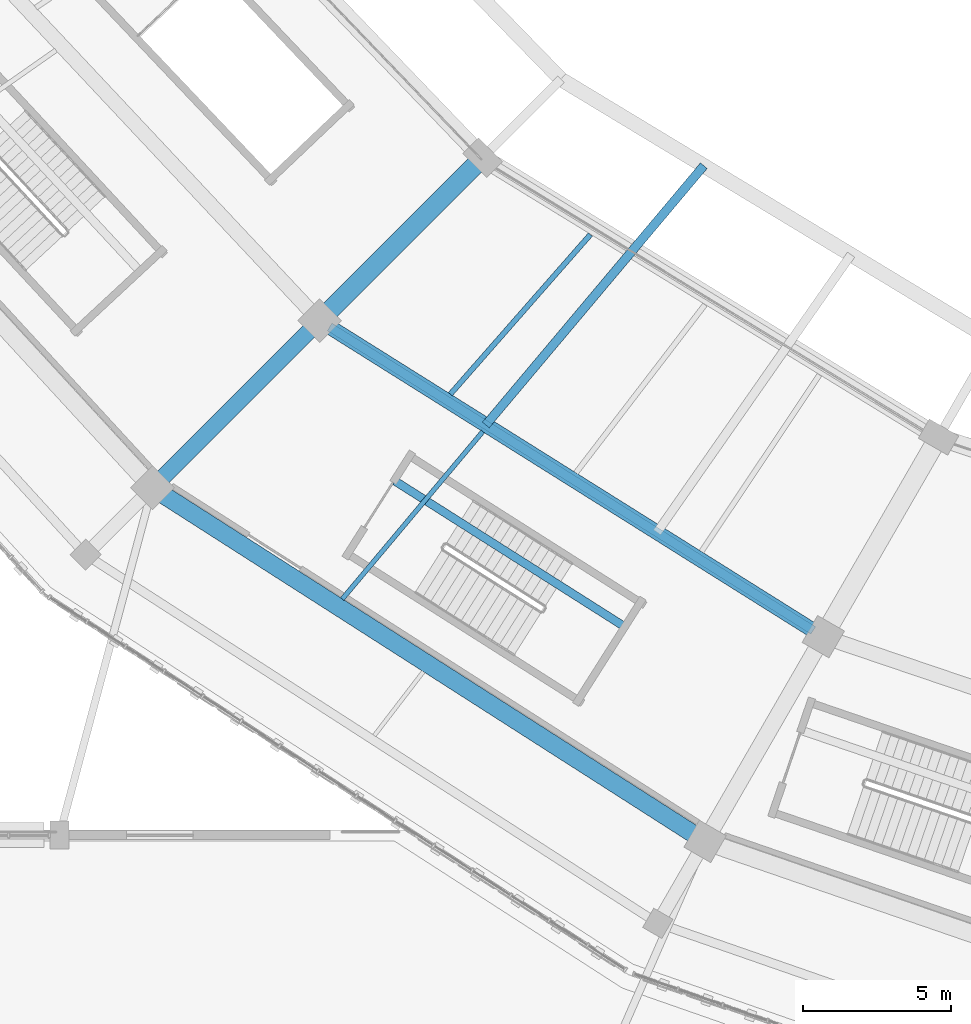
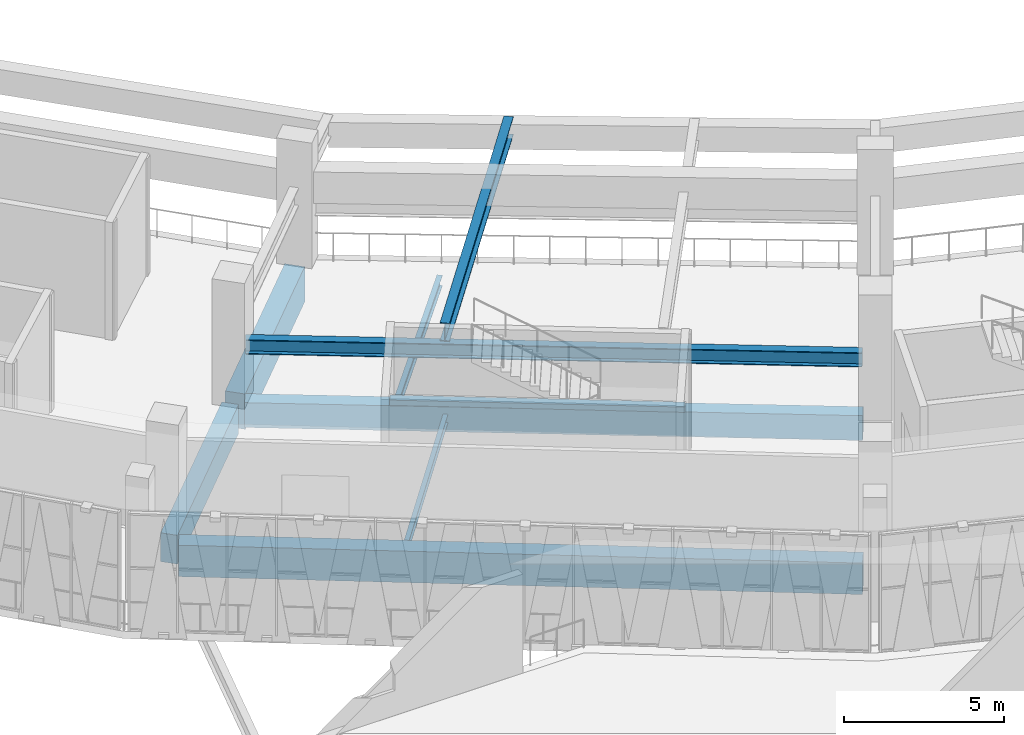
# One storey, part 11 of 179: 9 beams.
"""IFC4 building model written with IfcOpenShell, lengths in metres."""

from ifc_helpers import new_model, si_unit, direction, frame, origin, origin_2d, place, context, subcontext, project, spatial, rectangle, i_section, extrude, material, material_profile, profile_set, type_object, element, save


model = new_model("IFC4")

# Units and contexts
model_context = context("Model", 3, precision=1e-05, world=origin(), true_north=direction((0.0, 1.0)))
body_context = subcontext(model_context, "Body", "Model", "MODEL_VIEW")
ifc_project = project(units=[si_unit("LENGTHUNIT", "METRE"), si_unit("AREAUNIT", "SQUARE_METRE"), si_unit("VOLUMEUNIT", "CUBIC_METRE"), si_unit("PLANEANGLEUNIT", "RADIAN"), si_unit("MASSUNIT", "GRAM", prefix="KILO")], contexts=[model_context])

# Site, building, storey
site_placement = place(None, origin())
site = spatial("IfcSite", under=ifc_project, at=site_placement, CompositionType="ELEMENT")
building_placement = place(site_placement, origin())
building = spatial("IfcBuilding", under=site, at=building_placement, Name="Zevraka Park Crest Stadium", CompositionType="ELEMENT")
storey_placement = place(building_placement, frame((0.0, 0.0, 10.199951171875)))
storey = spatial("IfcBuildingStorey", under=building, at=storey_placement, Name="L02", CompositionType="ELEMENT", Elevation=10.199951171875)

# Beams
ifc_material_1 = material(Name="Concrete C40/50", Category="concrete")
ifc_material_profile_1 = material_profile(ifc_material_1, rectangle(XDim=0.64990234375, YDim=1.35009765625, at=origin_2d()), Name="RC 1350x650")
ifc_profile_set_1 = profile_set([ifc_material_profile_1], Name="Concrete C40/50")
beam_type_1 = type_object("IfcBeamType", Name="BG01", PredefinedType="BEAM", material=ifc_profile_set_1)
beam_1_placement = place(storey_placement, frame((59.10888671875, 49.715087890625, -0.68505859375), z_axis=(-0.707157639372, -0.707055919343, 0.0), x_axis=(0.707055919343, -0.707157639372, 0.0)))
element("IfcBeam", 1, at=beam_1_placement, inside=storey, type_object=beam_type_1, Name="Radial Girder BG01 L02-BC-15", PredefinedType="BEAM", context=body_context, shape_type="SweptSolid", body=[
    extrude(rectangle(XDim=0.64990234375, YDim=1.35009765625, at=origin_2d()), origin(), (0.0, 0.0, 1.0), 7.200439453125),
])
ifc_material_2 = material(Name="Concrete C40/50", Category="concrete")
ifc_material_profile_2 = material_profile(ifc_material_2, rectangle(XDim=0.550048828125, YDim=1.10009765625, at=origin_2d()), Name="RC 1100x550")
ifc_profile_set_2 = profile_set([ifc_material_profile_2], Name="Concrete C40/50")
beam_type_2 = type_object("IfcBeamType", Name="BG02", PredefinedType="BEAM", material=ifc_profile_set_2)
beam_2_placement = place(storey_placement, frame((53.593017578125, 44.199951171875, -0.56005859375), z_axis=(-0.707106781187, -0.707106781187, 0.0), x_axis=(0.707106781187, -0.707106781187, 0.0)))
element("IfcBeam", 2, at=beam_2_placement, inside=storey, type_object=beam_type_2, Name="Radial Girder BG02 L02-CD-15", PredefinedType="BEAM", context=body_context, shape_type="SweptSolid", body=[
    extrude(rectangle(XDim=0.550048828125, YDim=1.10009765625, at=origin_2d()), origin(), (0.0, 0.0, 1.0), 7.400390625),
])
ifc_material_3 = material(Name="Steel S355", Category="steel")
ifc_material_profile_3 = material_profile(ifc_material_3, i_section(OverallWidth=0.300048828125, OverallDepth=0.699951171875, WebThickness=0.01708984375, FlangeThickness=0.031982421875, at=origin_2d()), Name="HEB 700")
ifc_profile_set_3 = profile_set([ifc_material_profile_3], Name="Steel S355")
beam_type_3 = type_object("IfcBeamType", Name="BG06", PredefinedType="BEAM", material=ifc_profile_set_3)
beam_3_placement = place(storey_placement, frame((59.429931640625, 40.882080078125, 2.670166015625), z_axis=(0.643584623332, 0.7653749621, 0.0), x_axis=(-0.7653749621, 0.643584623332, 0.0)))
element("IfcBeam", 3, at=beam_3_placement, inside=storey, type_object=beam_type_3, Name="Upper Tier Vomitory Cantilever Girder BG06 15-V1", PredefinedType="BEAM", context=body_context, shape_type="SweptSolid", body=[
    extrude(i_section(OverallWidth=0.300048828125, OverallDepth=0.699951171875, WebThickness=0.01708984375, FlangeThickness=0.031982421875, at=origin_2d()), origin(), (0.0, 0.0, 1.0), 11.46240234375),
])
ifc_material_4 = material(Name="Concrete C40/50", Category="concrete")
ifc_material_profile_4 = material_profile(ifc_material_4, rectangle(XDim=0.60009765625, YDim=1.199951171875, at=origin_2d()), Name="RC 1200x600")
ifc_profile_set_4 = profile_set([ifc_material_profile_4], Name="Concrete C40/50")
beam_type_4 = type_object("IfcBeamType", Name="RB01", PredefinedType="BEAM", material=ifc_profile_set_4)
beam_4_placement = place(storey_placement, frame((48.468017578125, 38.550048828125, -0.60986328125), z_axis=(0.842325571453, -0.538969045193, 0.0), x_axis=(0.538969045193, 0.842325571453, 0.0)))
element("IfcBeam", 4, at=beam_4_placement, inside=storey, type_object=beam_type_4, Name="Ring Beam RB01 L02-D-15", PredefinedType="BEAM", context=body_context, shape_type="SweptSolid", body=[
    extrude(rectangle(XDim=0.60009765625, YDim=1.199951171875, at=origin_2d()), origin(), (0.0, 0.0, 1.0), 21.443115234375),
])
ifc_material_5 = material(Name="Concrete C40/50", Category="concrete")
ifc_material_profile_5 = material_profile(ifc_material_5, rectangle(XDim=0.5, YDim=0.949951171875, at=origin_2d()), Name="RC 950x500")
ifc_profile_set_5 = profile_set([ifc_material_profile_5], Name="Concrete C40/50")
beam_type_5 = type_object("IfcBeamType", Name="RB02", PredefinedType="BEAM", material=ifc_profile_set_5)
beam_5_placement = place(storey_placement, frame((54.126953125, 44.2099609375, -0.48486328125), z_axis=(0.847038516183, -0.531531515625, 0.0), x_axis=(0.531531515625, 0.847038516183, 0.0)))
element("IfcBeam", 5, at=beam_5_placement, inside=storey, type_object=beam_type_5, Name="Ring Beam RB02 L02-C-15", PredefinedType="BEAM", context=body_context, shape_type="SweptSolid", body=[
    extrude(rectangle(XDim=0.5, YDim=0.949951171875, at=origin_2d()), origin(), (0.0, 0.0, 1.0), 19.36279296875),
])
ifc_material_6 = material(Name="Steel S355", Category="steel")
ifc_material_profile_6 = material_profile(ifc_material_6, i_section(OverallWidth=0.300048828125, OverallDepth=0.550048828125, WebThickness=0.014892578125, FlangeThickness=0.029052734375, at=origin_2d()), Name="HEB 550")
ifc_profile_set_6 = profile_set([ifc_material_profile_6], Name="Steel S355")
beam_type_6 = type_object("IfcBeamType", Name="RB04", PredefinedType="BEAM", material=ifc_profile_set_6)
beam_6_placement = place(storey_placement, frame((54.14404296875, 44.198974609375, 2.047119140625), z_axis=(0.847050732734, -0.531512047065, 0.0), x_axis=(0.531512047065, 0.847050732734, 0.0)))
element("IfcBeam", 6, at=beam_6_placement, inside=storey, type_object=beam_type_6, Name="Vomitory Cantilever Anchor Support Beam RB04 15", PredefinedType="BEAM", context=body_context, shape_type="SweptSolid", body=[
    extrude(i_section(OverallWidth=0.300048828125, OverallDepth=0.550048828125, WebThickness=0.014892578125, FlangeThickness=0.029052734375, at=origin_2d()), origin(), (0.0, 0.0, 1.0), 19.322265625),
])
ifc_material_7 = material(Name="Steel S355", Category="steel")
ifc_material_profile_7 = material_profile(ifc_material_7, i_section(OverallWidth=0.159912109375, OverallDepth=0.330078125, WebThickness=0.007568359375, FlangeThickness=0.011474609375, at=origin_2d()), Name="IPE 330")
ifc_profile_set_7 = profile_set([ifc_material_profile_7], Name="Steel S355")
beam_type_7 = type_object("IfcBeamType", Name="SJ08", PredefinedType="JOIST", material=ifc_profile_set_7)
beam_7_placement = place(storey_placement, frame((59.3291015625, 40.658935546875, -0.452880859375), z_axis=(-0.642939005042, -0.765917381834, 0.0), x_axis=(0.765917381834, -0.642939005042, 0.0)))
element("IfcBeam", 7, at=beam_7_placement, inside=storey, type_object=beam_type_7, Name="Floor Joist SJ08 L02-CD-15-1", PredefinedType="JOIST", context=body_context, shape_type="SweptSolid", body=[
    extrude(i_section(OverallWidth=0.159912109375, OverallDepth=0.330078125, WebThickness=0.007568359375, FlangeThickness=0.011474609375, at=origin_2d()), origin(), (0.0, 0.0, 1.0), 7.39892578125),
])
ifc_material_8 = material(Name="Steel S355", Category="steel")
ifc_material_profile_8 = material_profile(ifc_material_8, i_section(OverallWidth=0.179931640625, OverallDepth=0.39990234375, WebThickness=0.008544921875, FlangeThickness=0.013427734375, at=origin_2d()), Name="IPE 400")
ifc_profile_set_8 = profile_set([ifc_material_profile_8], Name="Steel S355")
beam_type_8 = type_object("IfcBeamType", Name="SJ09", PredefinedType="JOIST", material=ifc_profile_set_8)
beam_8_placement = place(storey_placement, frame((62.969970703125, 47.325927734375, -0.488037109375), z_axis=(-0.659576187041, -0.751637714254, 0.0), x_axis=(0.751637714254, -0.659576187041, 0.0)))
element("IfcBeam", 8, at=beam_8_placement, inside=storey, type_object=beam_type_8, Name="Floor Joist SJ09 L02-BC-15-1", PredefinedType="JOIST", context=body_context, shape_type="SweptSolid", body=[
    extrude(i_section(OverallWidth=0.179931640625, OverallDepth=0.39990234375, WebThickness=0.008544921875, FlangeThickness=0.013427734375, at=origin_2d()), origin(), (0.0, 0.0, 1.0), 7.189453125),
])
ifc_material_9 = material(Name="Concrete C40/50", Category="concrete")
ifc_material_profile_9 = material_profile(ifc_material_9, rectangle(XDim=0.280029296875, YDim=0.199951171875, at=origin_2d()), Name="RC 200x280")
ifc_profile_set_9 = profile_set([ifc_material_profile_9], Name="Concrete C40/50")
beam_type_9 = type_object("IfcBeamType", Name="SJ13", PredefinedType="JOIST", material=ifc_profile_set_9)
beam_9_placement = place(storey_placement, frame((56.351806640625, 38.987548828125, 2.300048828125), z_axis=(0.844396466688, -0.53571877608, 0.0), x_axis=(0.53571877608, 0.844396466688, 0.0)))
element("IfcBeam", 9, at=beam_9_placement, inside=storey, type_object=beam_type_9, Name="Stair Upper-Flight Longitudinal Stringer SJ13 ST16-L02", PredefinedType="JOIST", context=body_context, shape_type="SweptSolid", body=[
    extrude(rectangle(XDim=0.280029296875, YDim=0.199951171875, at=origin_2d()), origin(), (0.0, 0.0, 1.0), 9.249755859375),
])

save(model, "model.ifc")
